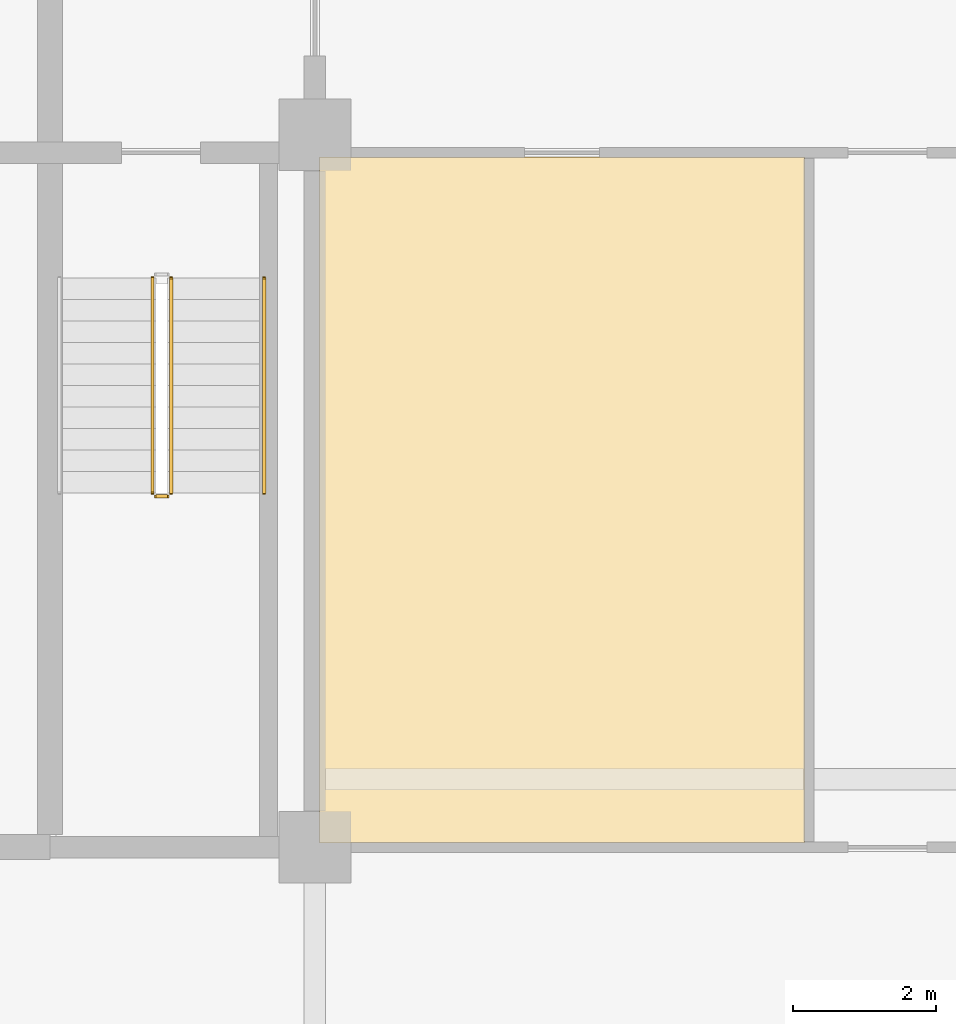
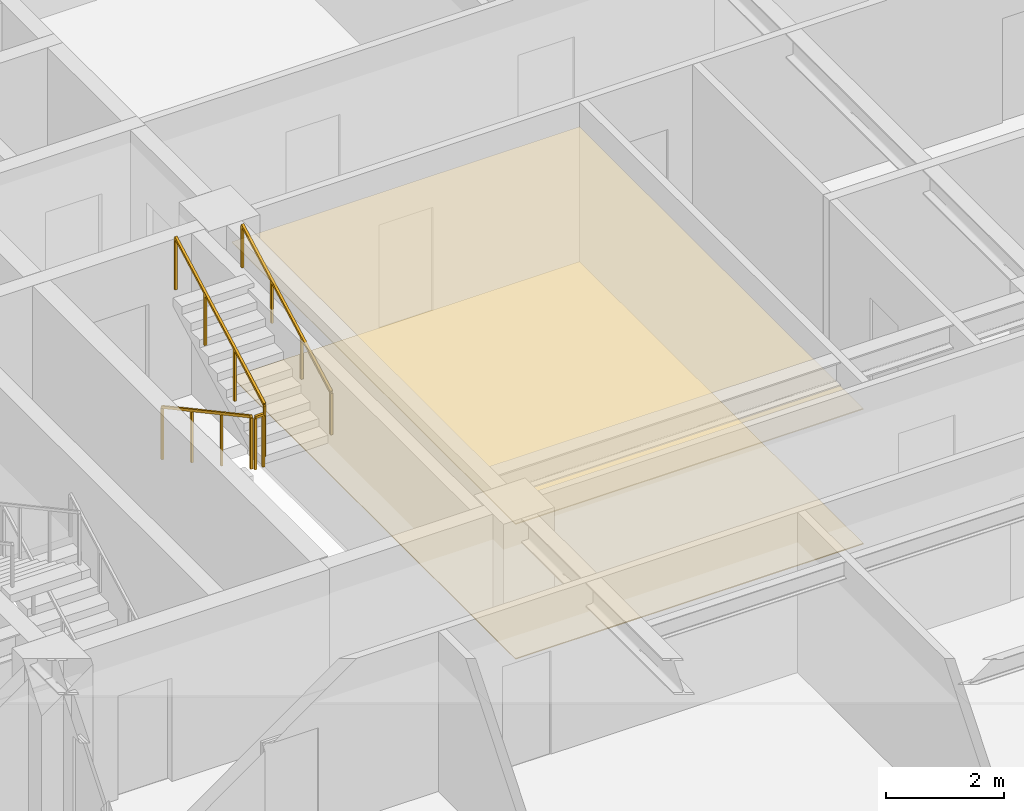
# One storey, part 11 of 15: 4 railings, 2 coverings.
"""IFC4 building model written with IfcOpenShell, lengths in metres."""

from ifc_helpers import new_model, si_unit, direction, frame, origin, origin_2d, place, context, subcontext, project, spatial, polyline, rectangle, outline, extrude, material, layer, layer_set, type_object, element, save


model = new_model("IFC4")

# Units and contexts
model_context = context("Model", 3, precision=1e-05, world=origin(), true_north=direction((0.0, 1.0)))
body_context = subcontext(model_context, "Body", "Model", "MODEL_VIEW")
ifc_project = project(units=[si_unit("LENGTHUNIT", "METRE"), si_unit("AREAUNIT", "SQUARE_METRE"), si_unit("VOLUMEUNIT", "CUBIC_METRE"), si_unit("PLANEANGLEUNIT", "RADIAN"), si_unit("MASSUNIT", "GRAM", prefix="KILO")], contexts=[model_context])

# Site, building, storey
site_placement = place(None, origin())
site = spatial("IfcSite", under=ifc_project, at=site_placement, CompositionType="ELEMENT")
building_placement = place(site_placement, origin())
building = spatial("IfcBuilding", under=site, at=building_placement, Name="Zulmaris Gate Convention Tower", CompositionType="ELEMENT")
storey_placement = place(building_placement, frame((0.0, 0.0, 132.059814453125)))
storey = spatial("IfcBuildingStorey", under=building, at=storey_placement, Name="L33", CompositionType="ELEMENT", Elevation=132.059814453125)

# Coverings
ifc_material_1 = material(Name="Mineral Fibre Acoustic Ceiling Tile")
ifc_layer_1 = layer(ifc_material_1, 0.02001953125, Name="Mineral Fibre Acoustic Ceiling Tile")
ifc_layer_set_1 = layer_set([ifc_layer_1], Name="Mineral Fibre Acoustic Ceiling Tile")
covering_type_1 = type_object("IfcCoveringType", Name="CLG-ACOUSTIC-600", PredefinedType="CEILING", material=ifc_layer_set_1)
covering_1_placement = place(storey_placement, frame((0.0, 0.0, 2.778076171875)))
element("IfcCovering", 1, at=covering_1_placement, inside=storey, type_object=covering_type_1, Name="CLG-L33-R48", PredefinedType="CEILING", context=body_context, shape_type="SweptSolid", body=[
    extrude(outline(polyline([(-10.93994140625, -9.889892578125), (-4.159912109375, -9.889892578125), (-4.159912109375, -0.31005859375), (-10.93994140625, -0.31005859375), (-10.93994140625, -9.889892578125)])), origin(), (0.0, 0.0, 1.0), 0.02001953125),
])
ifc_material_2 = material(Name="Woven Acoustic Wool Carpet Tile")
ifc_layer_2 = layer(ifc_material_2, 0.02001953125, Name="Woven Acoustic Wool Carpet Tile")
ifc_layer_set_2 = layer_set([ifc_layer_2], Name="Woven Acoustic Wool Carpet Tile")
covering_type_2 = type_object("IfcCoveringType", Name="FLR-CARPET-12", PredefinedType="FLOORING", material=ifc_layer_set_2)
covering_2_placement = place(storey_placement, origin())
element("IfcCovering", 2, at=covering_2_placement, inside=storey, type_object=covering_type_2, Name="FLR-L33-R48", PredefinedType="FLOORING", context=body_context, shape_type="SweptSolid", body=[
    extrude(outline(polyline([(-10.93994140625, -9.889892578125), (-4.159912109375, -9.889892578125), (-4.159912109375, -0.31005859375), (-10.93994140625, -0.31005859375), (-10.93994140625, -9.889892578125)])), origin(), (0.0, 0.0, 1.0), 0.02001953125),
])

# Railings
ifc_material_3 = material(Name="Painted Galvanised Steel", Category="steel")
railing_type_1 = type_object("IfcRailingType", Name="RL-STG-1150", PredefinedType="GUARDRAIL", material=ifc_material_3)
railing_1_placement = place(storey_placement, frame((-13.27001953125, -2.0, 0.162353515625)))
element("IfcRailing", 3, at=railing_1_placement, inside=storey, type_object=railing_type_1, Name="L33 ST-1 stair guard 1", PredefinedType="GUARDRAIL", context=body_context, shape_type="SweptSolid", body=[
    extrude(rectangle(XDim=0.048095703125, YDim=0.048095703125, at=origin_2d()), frame((0.0, 0.0, 1.076171875), z_axis=(0.0, -0.8795616155, 0.475784998228), x_axis=(1.0, 0.0, 0.0)), (0.0, 0.0, 1.0), 3.410888671875),
    extrude(rectangle(XDim=0.0419921875, YDim=0.0419921875, at=origin_2d()), origin(), (0.0, 0.0, 1.0), 1.052001953125),
    extrude(rectangle(XDim=0.0419921875, YDim=0.0419921875, at=origin_2d()), frame((0.0, -1.0, 0.541015625)), (0.0, 0.0, 1.0), 1.052001953125),
    extrude(rectangle(XDim=0.0419921875, YDim=0.0419921875, at=origin_2d()), frame((0.0, -2.0, 1.081787109375)), (0.0, 0.0, 1.0), 1.052001953125),
    extrude(rectangle(XDim=0.0419921875, YDim=0.0419921875, at=origin_2d()), frame((0.0, -3.0, 1.622802734375)), (0.0, 0.0, 1.0), 1.052001953125),
])
railing_2_placement = place(storey_placement, frame((-13.219970703125, -5.050048828125, 1.78515625)))
element("IfcRailing", 4, at=railing_2_placement, inside=storey, type_object=railing_type_1, Name="L33 ST-1 stair guard 2", PredefinedType="GUARDRAIL", context=body_context, shape_type="SweptSolid", body=[
    extrude(rectangle(XDim=0.048095703125, YDim=0.048095703125, at=origin_2d()), frame((0.0, 0.0, 1.076171875), z_axis=(1.0, 0.0, 0.0), x_axis=(0.0, 1.0, 0.0)), (0.0, 0.0, 1.0), 0.159912109375),
    extrude(rectangle(XDim=0.0419921875, YDim=0.0419921875, at=origin_2d()), origin(), (0.0, 0.0, 1.0), 1.052001953125),
    extrude(rectangle(XDim=0.0419921875, YDim=0.0419921875, at=origin_2d()), frame((0.159912109375, 0.0, 0.0)), (0.0, 0.0, 1.0), 1.052001953125),
])
railing_3_placement = place(storey_placement, frame((-13.010009765625, -5.0, 1.947265625)))
element("IfcRailing", 5, at=railing_3_placement, inside=storey, type_object=railing_type_1, Name="L33 ST-1 stair guard 3", PredefinedType="GUARDRAIL", context=body_context, shape_type="SweptSolid", body=[
    extrude(rectangle(XDim=0.048095703125, YDim=0.048095703125, at=origin_2d()), frame((0.0, 0.0, 1.076171875), z_axis=(0.0, 0.8795616155, 0.475784998228), x_axis=(-1.0, 0.0, 0.0)), (0.0, 0.0, 1.0), 3.410888671875),
    extrude(rectangle(XDim=0.0419921875, YDim=0.0419921875, at=origin_2d()), origin(), (0.0, 0.0, 1.0), 1.052001953125),
    extrude(rectangle(XDim=0.0419921875, YDim=0.0419921875, at=origin_2d()), frame((0.0, 1.0, 0.541015625)), (0.0, 0.0, 1.0), 1.052001953125),
    extrude(rectangle(XDim=0.0419921875, YDim=0.0419921875, at=origin_2d()), frame((0.0, 2.0, 1.081787109375)), (0.0, 0.0, 1.0), 1.052001953125),
    extrude(rectangle(XDim=0.0419921875, YDim=0.0419921875, at=origin_2d()), frame((0.0, 3.0, 1.622802734375)), (0.0, 0.0, 1.0), 1.052001953125),
])
ifc_material_4 = material(Name="Brushed Stainless Steel", Category="steel")
railing_type_2 = type_object("IfcRailingType", Name="RL-STH-900", PredefinedType="HANDRAIL", material=ifc_material_4)
railing_4_placement = place(storey_placement, frame((-11.7099609375, -5.0, 1.947265625)))
element("IfcRailing", 6, at=railing_4_placement, inside=storey, type_object=railing_type_2, Name="L33 ST-1 stair handrail 2", PredefinedType="HANDRAIL", context=body_context, shape_type="SweptSolid", body=[
    extrude(rectangle(XDim=0.048095703125, YDim=0.048095703125, at=origin_2d()), frame((0.0, 0.0, 0.8759765625), z_axis=(0.0, 0.8795616155, 0.475784998228), x_axis=(-1.0, 0.0, 0.0)), (0.0, 0.0, 1.0), 3.410888671875),
    extrude(rectangle(XDim=0.0419921875, YDim=0.0419921875, at=origin_2d()), origin(), (0.0, 0.0, 1.0), 0.851806640625),
    extrude(rectangle(XDim=0.0419921875, YDim=0.0419921875, at=origin_2d()), frame((0.0, 1.0, 0.541015625)), (0.0, 0.0, 1.0), 0.851806640625),
    extrude(rectangle(XDim=0.0419921875, YDim=0.0419921875, at=origin_2d()), frame((0.0, 2.0, 1.081787109375)), (0.0, 0.0, 1.0), 0.851806640625),
    extrude(rectangle(XDim=0.0419921875, YDim=0.0419921875, at=origin_2d()), frame((0.0, 3.0, 1.622802734375)), (0.0, 0.0, 1.0), 0.851806640625),
])

save(model, "model.ifc")
